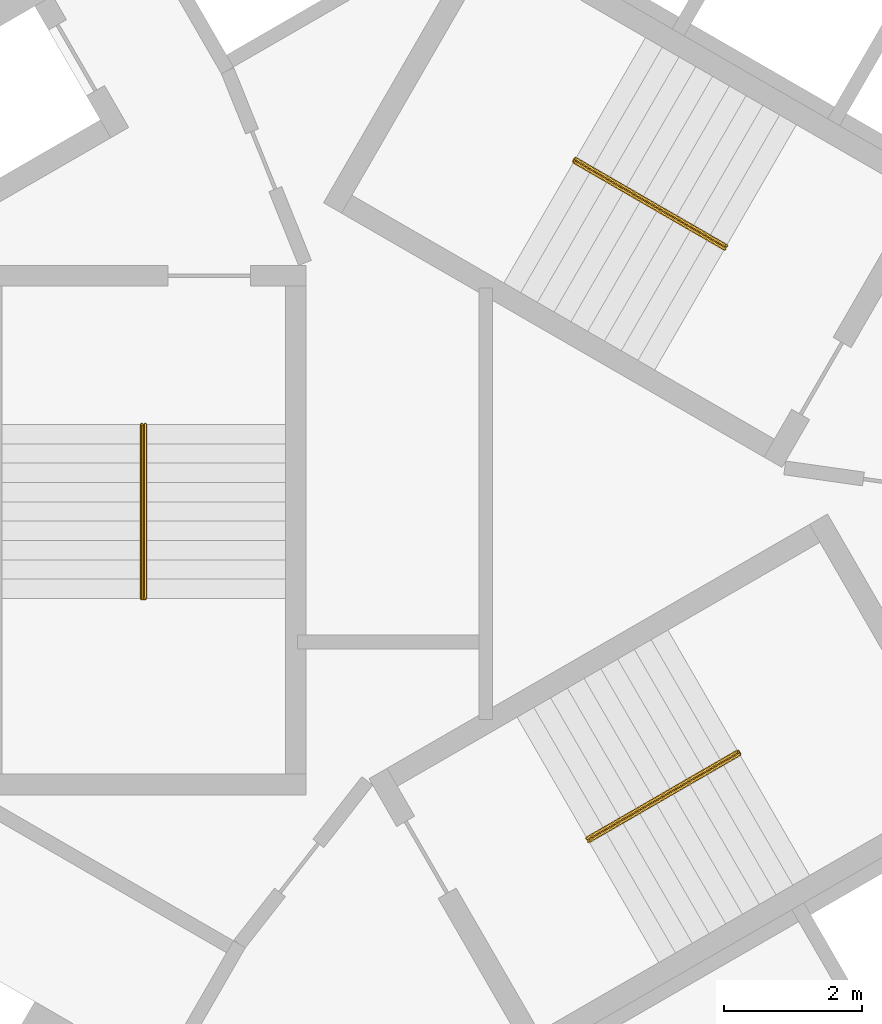
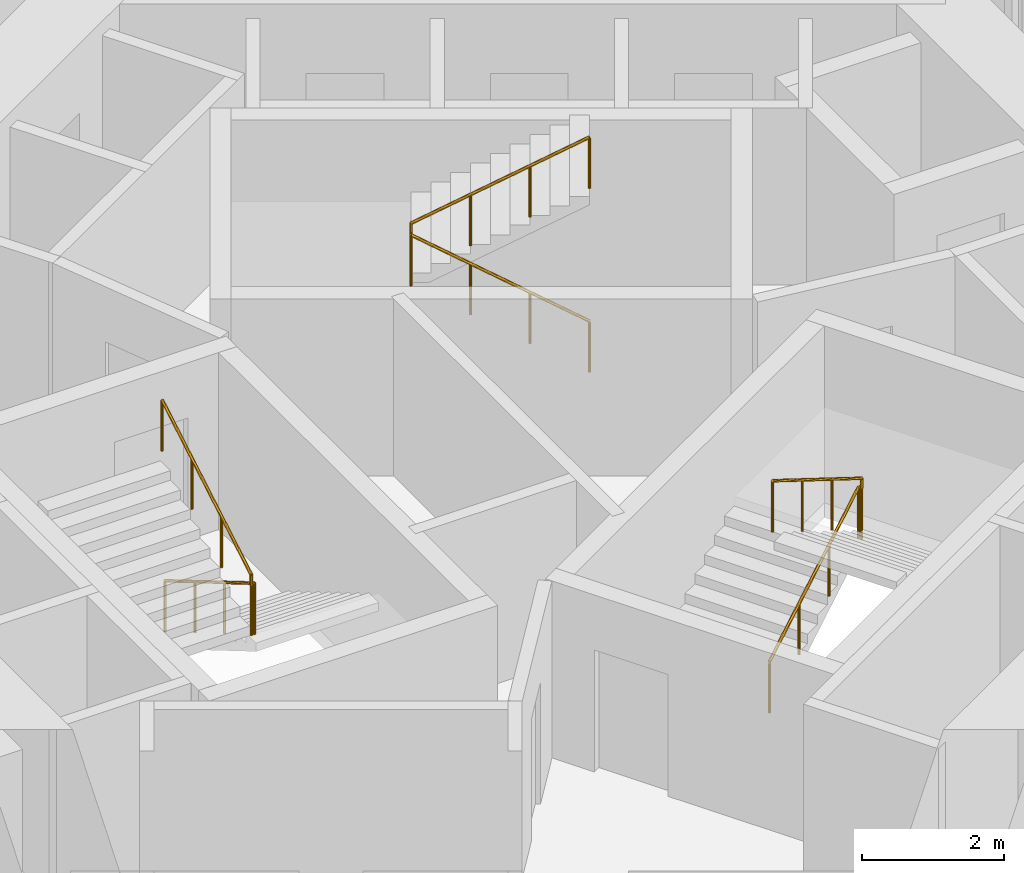
# One storey, part 12 of 12: 3 railings.
"""IFC4 building model written with IfcOpenShell, lengths in metres."""

import ifcopenshell
import ifcopenshell.guid

model = None  # the IFC model being written
_history = None  # IfcOwnerHistory: only IFC2X3 demands one
_inside = {}  # id of a spatial element -> (the spatial element, [elements in it])
_under = {}  # id of a project, library or spatial element -> (it, [spatial elements below it])
_declared = {}  # id of a project -> (the project, [libraries it declares])
_typed = {}  # id of a type object -> (the type object, [elements of that type])
_made_of = {}  # id of a material, layer set ... -> (it, [elements and type objects made of it])


def new_model(schema):
    """Start an empty IFC model of exactly this schema.

    Asked for "IFC4X3", IfcOpenShell would pick the latest addendum, in which some entities
    have other attributes; the version numbers below select the first issue.
    IFC2X3 requires an IfcOwnerHistory on every rooted entity: one is made here for all.
    """
    global model, _history
    if schema == "IFC4X3":
        model = ifcopenshell.file(schema_version=(4, 3, 0, 0))
    else:
        model = ifcopenshell.file(schema=schema)
    _inside.clear()
    _under.clear()
    _declared.clear()
    _typed.clear()
    _made_of.clear()
    _history = None
    if model.schema == "IFC2X3":
        org = make("IfcOrganization", Name="unknown")
        user = make(
            "IfcPersonAndOrganization",
            ThePerson=make("IfcPerson", FamilyName="unknown"),
            TheOrganization=org,
        )
        app = make(
            "IfcApplication",
            ApplicationDeveloper=org,
            Version="unknown",
            ApplicationFullName="unknown",
            ApplicationIdentifier="unknown",
        )
        _history = make(
            "IfcOwnerHistory",
            OwningUser=user,
            OwningApplication=app,
            ChangeAction="ADDED",
            CreationDate=0,
        )
    return model


def make(cls, **values):
    """One entity of the class cls with the attributes given. An attribute that is None is left unset."""
    return model.create_entity(
        cls, **{name: value for name, value in values.items() if value is not None}
    )


def rooted(cls, **values):
    """An entity with a GlobalId (a new one), such as an element, a storey or a relation."""
    return make(cls, GlobalId=ifcopenshell.guid.new(), OwnerHistory=_history, **values)


def si_unit(unit_type, name, prefix=None):
    """IfcSIUnit, for example si_unit("LENGTHUNIT", "METRE", prefix="MILLI")."""
    return make("IfcSIUnit", UnitType=unit_type, Prefix=prefix, Name=name)


def assignment(units):
    """IfcUnitAssignment: the units of a project."""
    return None if units is None else make("IfcUnitAssignment", Units=units)


def point(xyz):
    """IfcCartesianPoint."""
    return None if xyz is None else make("IfcCartesianPoint", Coordinates=xyz)


def direction(xyz):
    """IfcDirection."""
    return None if xyz is None else make("IfcDirection", DirectionRatios=xyz)


def frame(location, z_axis=None, x_axis=None):
    """IfcAxis2Placement3D, a coordinate frame: its origin and axes. An axis left out is left unset."""
    return make(
        "IfcAxis2Placement3D",
        Location=point(location),
        Axis=direction(z_axis),
        RefDirection=direction(x_axis),
    )


def frame_2d(location, x_axis=None):
    """IfcAxis2Placement2D, a coordinate frame in the plane: its origin and x axis."""
    return make(
        "IfcAxis2Placement2D", Location=point(location), RefDirection=direction(x_axis)
    )


def origin():
    """The frame at (0, 0, 0) with its axes left unset."""
    return frame((0.0, 0.0, 0.0))


def origin_2d():
    """The frame at (0, 0) in the plane with its x axis left unset."""
    return frame_2d((0.0, 0.0))


def place(relative_to, where):
    """IfcLocalPlacement: puts the frame where relative to a parent placement (None: the world)."""
    return make(
        "IfcLocalPlacement", PlacementRelTo=relative_to, RelativePlacement=where
    )


def context(
    kind, dimensions, precision=None, world=None, true_north=None, identifier=None
):
    """IfcGeometricRepresentationContext, for example the 3D "Model" context."""
    return make(
        "IfcGeometricRepresentationContext",
        ContextIdentifier=identifier,
        ContextType=kind,
        CoordinateSpaceDimension=dimensions,
        Precision=precision,
        WorldCoordinateSystem=world,
        TrueNorth=true_north,
    )


def subcontext(parent, identifier, kind, view, scale=None):
    """IfcGeometricRepresentationSubContext, for example "Body" below "Model"."""
    return make(
        "IfcGeometricRepresentationSubContext",
        ContextIdentifier=identifier,
        ContextType=kind,
        ParentContext=parent,
        TargetScale=scale,
        TargetView=view,
    )


def project(units=None, contexts=None):
    """IfcProject with its units and contexts."""
    return rooted(
        "IfcProject",
        Name="project",
        RepresentationContexts=contexts,
        UnitsInContext=assignment(units),
    )


def spatial(cls, under=None, at=None, **own):
    """A site, building, storey or space (cls), placed at a placement, below another one or the project."""
    s = rooted(cls, ObjectPlacement=at, **own)
    if under is not None:
        _under.setdefault(under.id(), (under, []))[1].append(s)
    return s


def profile(cls, at=None, kind="AREA", **sizes):
    """A parametric profile (cls). Its sizes go by their IFC names, for example OverallWidth=200.0."""
    return make(cls, ProfileType=kind, Position=at, **sizes)


def circle(**sizes):
    """IfcCircleProfileDef."""
    return profile("IfcCircleProfileDef", **sizes)


def extrude(swept, where, along, depth):
    """IfcExtrudedAreaSolid: the profile swept, set in the frame where, extruded along a direction by depth."""
    return make(
        "IfcExtrudedAreaSolid",
        SweptArea=swept,
        Position=where,
        ExtrudedDirection=direction(along),
        Depth=depth,
    )


def shape(context_of_items, identifier, shape_type, items):
    """IfcShapeRepresentation: the items that make up one representation, for example the "Body"."""
    return make(
        "IfcShapeRepresentation",
        ContextOfItems=context_of_items,
        RepresentationIdentifier=identifier,
        RepresentationType=shape_type,
        Items=items,
    )


def material(Name=None, Category=None):
    """IfcMaterial."""
    return make("IfcMaterial", Name=Name, Category=Category)


def made_of(thing, what):
    """Note that an element or type object is made of a material, layer set ...; save() writes the relation."""
    if what is not None:
        _made_of.setdefault(what.id(), (what, []))[1].append(thing)
    return thing


def type_object(cls, material=None, **own):
    """A type object (cls), such as IfcWallType, which elements share."""
    return made_of(rooted(cls, **own), material)


def element(
    cls,
    number,
    at=None,
    inside=None,
    cuts=None,
    type_object=None,
    material=None,
    context=None,
    identifier="Body",
    shape_type=None,
    held_by="IfcProductDefinitionShape",
    body=None,
    shapes=None,
    **own,
):
    """One element of the class cls, such as IfcWall. Its Tag is "e" and its number.

    at: its placement. inside: the storey or other place that contains it. cuts: it is an
    opening in that element (IfcRelVoidsElement). A single representation is given by context,
    identifier, shape_type and body (its items); several are given by shapes. held_by: the class
    of the entity that holds the representations. save() writes the other relations.
    """
    e = rooted(cls, Tag="e%d" % number, ObjectPlacement=at, **own)
    if body is not None:
        shapes = [shape(context, identifier, shape_type, body)]
    if shapes is not None:
        e.Representation = make(held_by, Representations=shapes)
    if inside is not None:
        _inside.setdefault(inside.id(), (inside, []))[1].append(e)
    if cuts is not None:
        rooted(
            "IfcRelVoidsElement", RelatingBuildingElement=cuts, RelatedOpeningElement=e
        )
    if type_object is not None:
        _typed.setdefault(type_object.id(), (type_object, []))[1].append(e)
    return made_of(e, material)


def aggregate(whole, parts):
    """IfcRelAggregates: a whole, such as a stair, and the parts it consists of."""
    return rooted("IfcRelAggregates", RelatingObject=whole, RelatedObjects=parts)


def save(model, path):
    """Write the relations noted so far, then the file.

    IfcRelAggregates (storeys below a building ...), IfcRelContainedInSpatialStructure (elements
    in a storey), IfcRelDefinesByType, IfcRelAssociatesMaterial and IfcRelDeclares: one each for
    every whole, place, type object, material and project.
    """
    for whole, parts in _under.values():
        aggregate(whole, parts)
    for where, things in _inside.values():
        rooted(
            "IfcRelContainedInSpatialStructure",
            RelatedElements=things,
            RelatingStructure=where,
        )
    for kind, things in _typed.values():
        rooted("IfcRelDefinesByType", RelatedObjects=things, RelatingType=kind)
    for what, things in _made_of.values():
        rooted("IfcRelAssociatesMaterial", RelatedObjects=things, RelatingMaterial=what)
    for by, libraries in _declared.values():
        rooted("IfcRelDeclares", RelatingContext=by, RelatedDefinitions=libraries)
    model.write(path)


model = new_model("IFC4")

# Units and contexts
model_context = context("Model", 3, precision=1e-05, world=origin(), true_north=direction((0.0, 1.0)))
body_context = subcontext(model_context, "Body", "Model", "MODEL_VIEW")
ifc_project = project(units=[si_unit("LENGTHUNIT", "METRE"), si_unit("AREAUNIT", "SQUARE_METRE"), si_unit("VOLUMEUNIT", "CUBIC_METRE"), si_unit("PLANEANGLEUNIT", "RADIAN"), si_unit("MASSUNIT", "GRAM", prefix="KILO")], contexts=[model_context])

# Site, building, storey
site_placement = place(None, origin())
site = spatial("IfcSite", under=ifc_project, at=site_placement, CompositionType="ELEMENT")
building_placement = place(site_placement, origin())
building = spatial("IfcBuilding", under=site, at=building_placement, Name="Vanh Sen Convention Tower", CompositionType="ELEMENT")
storey_placement = place(building_placement, frame((0.0, 0.0, 113.300048828125)))
storey = spatial("IfcBuildingStorey", under=building, at=storey_placement, Name="L27", CompositionType="ELEMENT", Elevation=113.300048828125)

# Railings
ifc_material = material(Name="Stainless steel handrail", Category="steel")
railing_type = type_object("IfcRailingType", Name="Stair handrail 900", PredefinedType="HANDRAIL", material=ifc_material)
railing_1_placement = place(storey_placement, frame((3.45849609375, 3.690185546875, 0.1650390625)))
element("IfcRailing", 1, at=railing_1_placement, inside=storey, type_object=railing_type, Name="Stair handrail ST1 L27", PredefinedType="HANDRAIL", context=body_context, shape_type="SweptSolid", body=[
    extrude(circle(Radius=0.02392578125, at=origin_2d()), frame((0.0, 0.0, 0.8759765625), z_axis=(-0.746166161147, 0.430756550076, 0.507626688154), x_axis=(-0.499962843328, -0.866046855136, 0.0)), (0.0, 0.0, 1.0), 2.925048828125),
    extrude(circle(Radius=0.02392578125, at=origin_2d()), frame((-2.1826171875, 1.260009765625, 2.36083984375), z_axis=(0.502959906984, 0.86430974307, 0.0), x_axis=(-0.86430974307, 0.502959906984, 0.0)), (0.0, 0.0, 1.0), 0.050048828125),
    extrude(circle(Radius=0.02392578125, at=origin_2d()), frame((-2.157470703125, 1.30322265625, 2.36083984375), z_axis=(0.0, 0.0, 1.0), x_axis=(1.0, 0.0, 0.0)), (0.0, 0.0, 1.0), 0.1650390625),
    extrude(circle(Radius=0.02392578125, at=origin_2d()), frame((-2.157470703125, 1.30322265625, 2.52587890625), z_axis=(0.746097546679, -0.430765123438, 0.507720256902), x_axis=(0.500004791531, 0.866022637375, 0.0)), (0.0, 0.0, 1.0), 2.925048828125),
    extrude(circle(Radius=0.02099609375, at=origin_2d()), origin(), (0.0, 0.0, 1.0), 0.851806640625),
    extrude(circle(Radius=0.02099609375, at=origin_2d()), frame((-0.7275390625, 0.419921875, 0.494873046875)), (0.0, 0.0, 1.0), 0.851806640625),
    extrude(circle(Radius=0.02099609375, at=origin_2d()), frame((-1.455078125, 0.840087890625, 0.989990234375)), (0.0, 0.0, 1.0), 0.851806640625),
    extrude(circle(Radius=0.02099609375, at=origin_2d()), frame((-2.1826171875, 1.260009765625, 1.48486328125)), (0.0, 0.0, 1.0), 0.851806640625),
    extrude(circle(Radius=0.02099609375, at=origin_2d()), frame((-2.157470703125, 1.30322265625, 1.48486328125)), (0.0, 0.0, 1.0), 0.851806640625),
    extrude(circle(Radius=0.02099609375, at=origin_2d()), frame((-2.157470703125, 1.30322265625, 1.64990234375)), (0.0, 0.0, 1.0), 0.851806640625),
    extrude(circle(Radius=0.02099609375, at=origin_2d()), frame((-1.429931640625, 0.88330078125, 2.14501953125)), (0.0, 0.0, 1.0), 0.851806640625),
    extrude(circle(Radius=0.02099609375, at=origin_2d()), frame((-0.70263671875, 0.463134765625, 2.639892578125)), (0.0, 0.0, 1.0), 0.851806640625),
    extrude(circle(Radius=0.02099609375, at=origin_2d()), frame((0.02490234375, 0.043212890625, 3.135009765625)), (0.0, 0.0, 1.0), 0.851806640625),
])
railing_2_placement = place(storey_placement, frame((-4.925048828125, 1.14990234375, 0.1650390625)))
element("IfcRailing", 2, at=railing_2_placement, inside=storey, type_object=railing_type, Name="Stair handrail ST2 L27", PredefinedType="HANDRAIL", context=body_context, shape_type="SweptSolid", body=[
    extrude(circle(Radius=0.02392578125, at=origin_2d()), frame((0.0, 0.0, 0.8759765625), z_axis=(0.0, -0.861560626758, 0.507654692109), x_axis=(1.0, 0.0, 0.0)), (0.0, 0.0, 1.0), 2.925048828125),
    extrude(circle(Radius=0.02392578125, at=origin_2d()), frame((0.0, -2.52001953125, 2.36083984375), z_axis=(-1.0, 0.0, 0.0), x_axis=(0.0, -1.0, 0.0)), (0.0, 0.0, 1.0), 0.050048828125),
    extrude(circle(Radius=0.02392578125, at=origin_2d()), frame((-0.050048828125, -2.52001953125, 2.36083984375), z_axis=(0.0, 0.0, 1.0), x_axis=(1.0, 0.0, 0.0)), (0.0, 0.0, 1.0), 0.1650390625),
    extrude(circle(Radius=0.02392578125, at=origin_2d()), frame((-0.050048828125, -2.52001953125, 2.52587890625), z_axis=(0.0, 0.86152411907, 0.507716645641), x_axis=(-1.0, 0.0, 0.0)), (0.0, 0.0, 1.0), 2.925048828125),
    extrude(circle(Radius=0.02099609375, at=origin_2d()), origin(), (0.0, 0.0, 1.0), 0.851806640625),
    extrude(circle(Radius=0.02099609375, at=origin_2d()), frame((0.0, -0.840087890625, 0.494873046875)), (0.0, 0.0, 1.0), 0.851806640625),
    extrude(circle(Radius=0.02099609375, at=origin_2d()), frame((0.0, -1.679931640625, 0.989990234375)), (0.0, 0.0, 1.0), 0.851806640625),
    extrude(circle(Radius=0.02099609375, at=origin_2d()), frame((0.0, -2.52001953125, 1.48486328125)), (0.0, 0.0, 1.0), 0.851806640625),
    extrude(circle(Radius=0.02099609375, at=origin_2d()), frame((-0.050048828125, -2.52001953125, 1.48486328125)), (0.0, 0.0, 1.0), 0.851806640625),
    extrude(circle(Radius=0.02099609375, at=origin_2d()), frame((-0.050048828125, -2.52001953125, 1.64990234375)), (0.0, 0.0, 1.0), 0.851806640625),
    extrude(circle(Radius=0.02099609375, at=origin_2d()), frame((-0.050048828125, -1.679931640625, 2.14501953125)), (0.0, 0.0, 1.0), 0.851806640625),
    extrude(circle(Radius=0.02099609375, at=origin_2d()), frame((-0.050048828125, -0.840087890625, 2.639892578125)), (0.0, 0.0, 1.0), 0.851806640625),
    extrude(circle(Radius=0.02099609375, at=origin_2d()), frame((-0.050048828125, 0.0, 3.135009765625)), (0.0, 0.0, 1.0), 0.851806640625),
])
railing_3_placement = place(storey_placement, frame((1.466552734375, -4.840087890625, 0.1650390625)))
element("IfcRailing", 3, at=railing_3_placement, inside=storey, type_object=railing_type, Name="Stair handrail ST3 L27", PredefinedType="HANDRAIL", context=body_context, shape_type="SweptSolid", body=[
    extrude(circle(Radius=0.02392578125, at=origin_2d()), frame((0.0, 0.0, 0.8759765625), z_axis=(0.746129163535, 0.430783377672, 0.507658303235), x_axis=(-0.500004791531, 0.866022637375, 0.0)), (0.0, 0.0, 1.0), 2.9248046875),
    extrude(circle(Radius=0.02392578125, at=origin_2d()), frame((2.182373046875, 1.260009765625, 2.36083984375), z_axis=(0.500844580232, -0.86553723574, 0.0), x_axis=(0.86553723574, 0.500844580232, 0.0)), (0.0, 0.0, 1.0), 0.05029296875),
    extrude(circle(Radius=0.02392578125, at=origin_2d()), frame((2.20751953125, 1.216552734375, 2.36083984375), z_axis=(0.0, 0.0, 1.0), x_axis=(1.0, 0.0, 0.0)), (0.0, 0.0, 1.0), 0.1650390625),
    extrude(circle(Radius=0.02392578125, at=origin_2d()), frame((2.20751953125, 1.216552734375, 2.52587890625), z_axis=(-0.746097546679, -0.430765123438, 0.507720256902), x_axis=(0.500004791531, -0.866022637375, 0.0)), (0.0, 0.0, 1.0), 2.925048828125),
    extrude(circle(Radius=0.02099609375, at=origin_2d()), origin(), (0.0, 0.0, 1.0), 0.851806640625),
    extrude(circle(Radius=0.02099609375, at=origin_2d()), frame((0.7275390625, 0.419921875, 0.494873046875)), (0.0, 0.0, 1.0), 0.851806640625),
    extrude(circle(Radius=0.02099609375, at=origin_2d()), frame((1.454833984375, 0.840087890625, 0.989990234375)), (0.0, 0.0, 1.0), 0.851806640625),
    extrude(circle(Radius=0.02099609375, at=origin_2d()), frame((2.182373046875, 1.260009765625, 1.48486328125)), (0.0, 0.0, 1.0), 0.851806640625),
    extrude(circle(Radius=0.02099609375, at=origin_2d()), frame((2.20751953125, 1.216552734375, 1.48486328125)), (0.0, 0.0, 1.0), 0.851806640625),
    extrude(circle(Radius=0.02099609375, at=origin_2d()), frame((2.20751953125, 1.216552734375, 1.64990234375)), (0.0, 0.0, 1.0), 0.851806640625),
    extrude(circle(Radius=0.02099609375, at=origin_2d()), frame((1.47998046875, 0.796630859375, 2.14501953125)), (0.0, 0.0, 1.0), 0.851806640625),
    extrude(circle(Radius=0.02099609375, at=origin_2d()), frame((0.752685546875, 0.37646484375, 2.639892578125)), (0.0, 0.0, 1.0), 0.851806640625),
    extrude(circle(Radius=0.02099609375, at=origin_2d()), frame((0.025146484375, -0.04345703125, 3.135009765625)), (0.0, 0.0, 1.0), 0.851806640625),
])

save(model, "model.ifc")
